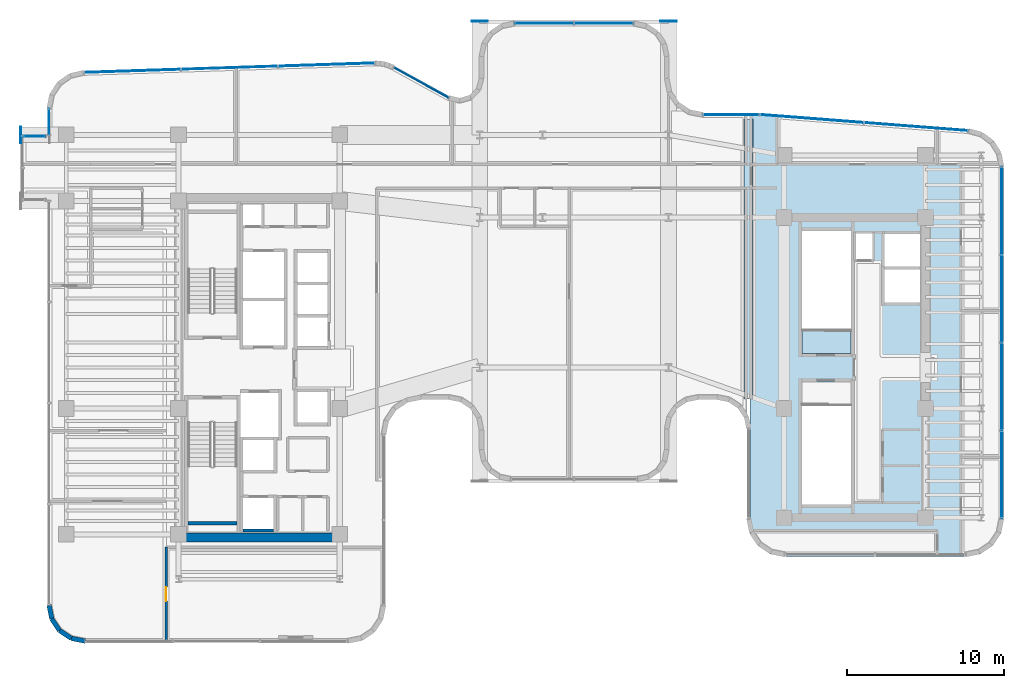
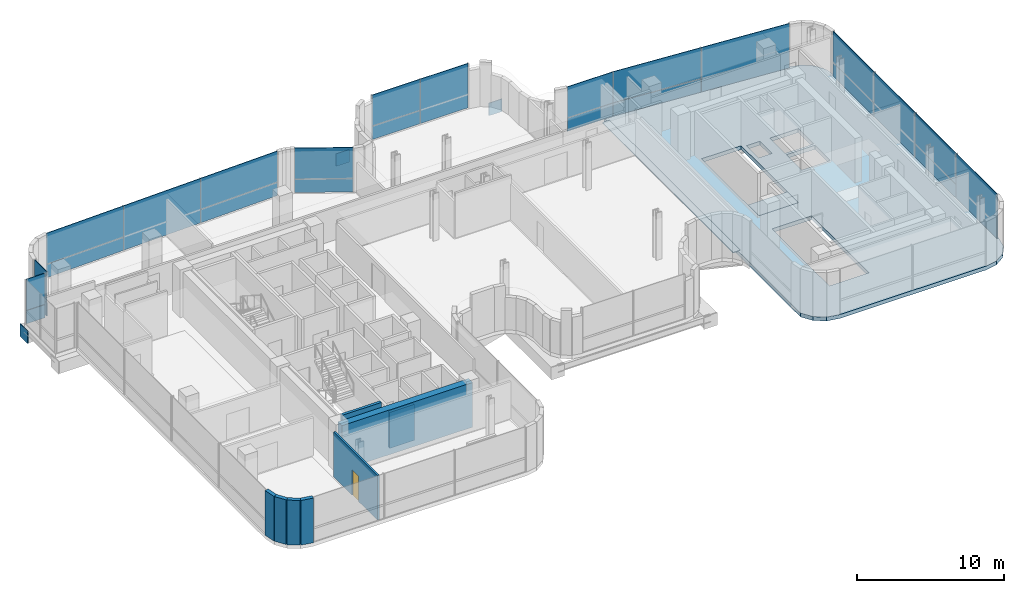
# One storey, part 26 of 35: 29 plates, 8 walls, 2 slabs, 1 door, 1 opening, 8 elements without a shape of their own.
"""IFC4 building model written with IfcOpenShell, lengths in metres."""

from ifc_helpers import new_model, si_unit, direction, frame, frame_2d, origin, origin_2d, place, context, subcontext, project, spatial, polyline, rectangle, outline, extrude, source, transform, mapped, material, layer, layer_set, type_object, element, fill, aggregate, save


model = new_model("IFC4")

# Units and contexts
model_context = context("Model", 3, precision=1e-05, world=origin(), true_north=direction((0.0, 1.0)))
body_context = subcontext(model_context, "Body", "Model", "MODEL_VIEW")
ifc_project = project(units=[si_unit("LENGTHUNIT", "METRE"), si_unit("AREAUNIT", "SQUARE_METRE"), si_unit("VOLUMEUNIT", "CUBIC_METRE"), si_unit("PLANEANGLEUNIT", "RADIAN"), si_unit("MASSUNIT", "GRAM", prefix="KILO")], contexts=[model_context])

# Site, building, storey
site_placement = place(None, origin())
site = spatial("IfcSite", under=ifc_project, at=site_placement, CompositionType="ELEMENT")
building_placement = place(site_placement, origin())
building = spatial("IfcBuilding", under=site, at=building_placement, Name="Valdorenza Pilgrim Sanctuary Tower", CompositionType="ELEMENT")
storey_placement = place(building_placement, frame((0.0, 0.0, 192.35009765625)))
storey = spatial("IfcBuildingStorey", under=building, at=storey_placement, Name="L49", CompositionType="ELEMENT", Elevation=192.35009765625)

# Slabs
ifc_material_1 = material(Name="Concrete C40/50", Category="concrete")
ifc_layer_1 = layer(ifc_material_1, 0.320068359375, Name="Concrete C40/50")
ifc_layer_set_1 = layer_set([ifc_layer_1], Name="Concrete C40/50")
slab_type_1 = type_object("IfcSlabType", Name="SLAB-PRY-320", PredefinedType="FLOOR", material=ifc_layer_set_1)
slab_1_placement = place(storey_placement, frame((0.0, 0.0, -0.320068359375)))
element("IfcSlab", 1, at=slab_1_placement, inside=storey, type_object=slab_type_1, Name="L49 Structural Floor Slab 2", PredefinedType="FLOOR", context=body_context, shape_type="SweptSolid", body=[
    extrude(outline(polyline([(27.585205078125, 15.17138671875), (28.4453125, 14.93896484375), (29.161376953125, 14.408935546875), (29.634521484375, 13.654052734375), (29.800048828125, 12.778564453125), (29.800048828125, -9.60009765625), (29.6171875, -10.518310546875), (29.09716796875, -11.297119140625), (28.318359375, -11.8173828125), (27.39990234375, -12.0), (15.89990234375, -12.0), (14.981689453125, -11.8173828125), (14.202880859375, -11.297119140625), (13.6826171875, -10.518310546875), (13.679931640625, -10.5048828125), (13.679931640625, 16.199951171875), (14.300048828125, 16.199951171875), (27.585205078125, 15.17138671875)]), holes=[polyline([(17.0, -8.699951171875), (20.110107421875, -8.699951171875), (20.110107421875, -2.385009765625), (20.110107421875, -0.89990234375), (17.0, -0.89990234375), (17.0, -2.385009765625), (17.0, -8.699951171875)]), polyline([(17.0, 0.89990234375), (20.110107421875, 0.89990234375), (20.110107421875, 2.385009765625), (20.110107421875, 8.699951171875), (17.0, 8.699951171875), (17.0, 2.385009765625), (17.0, 0.89990234375)]), polyline([(22.25, 4.14990234375), (24.47998046875, 4.14990234375), (24.47998046875, 6.22509765625), (22.25, 6.22509765625), (22.25, 4.14990234375)]), polyline([(22.25, 6.425048828125), (24.47998046875, 6.425048828125), (24.47998046875, 8.5), (22.25, 8.5), (22.25, 6.425048828125)]), polyline([(20.409912109375, 6.860107421875), (21.489990234375, 6.860107421875), (21.489990234375, 8.52001953125), (20.409912109375, 8.52001953125), (20.409912109375, 6.860107421875)])]), origin(), (0.0, 0.0, 1.0), 0.320068359375),
])
ifc_material_2 = material(Name="Concrete C50/60", Category="concrete")
ifc_layer_2 = layer(ifc_material_2, 0.39990234375, Name="Concrete C50/60")
ifc_layer_set_2 = layer_set([ifc_layer_2], Name="Concrete C50/60")
slab_type_2 = type_object("IfcSlabType", Name="SLAB-TRF-400", PredefinedType="FLOOR", material=ifc_layer_set_2)
slab_2_placement = place(storey_placement, frame((0.0, 0.0, -0.360107421875)))
element("IfcSlab", 2, at=slab_2_placement, inside=storey, type_object=slab_type_2, Name="L49 ST-B1 Structural Stair Landing Bearing Slab", PredefinedType="FLOOR", context=body_context, shape_type="SweptSolid", body=[
    extrude(outline(polyline([(17.0, 0.89990234375), (20.110107421875, 0.89990234375), (20.110107421875, 2.385009765625), (17.0, 2.385009765625), (17.0, 0.89990234375)])), origin(), (0.0, 0.0, 1.0), 0.360107421875),
])

# Plates
ifc_material_3 = material(Name="Steel ASTM A572 Grade 42", Category="steel")
ifc_layer_3 = layer(ifc_material_3, 0.06005859375, Name="Steel ASTM A572 Grade 42")
ifc_layer_set_3 = layer_set([ifc_layer_3], Name="Steel ASTM A572 Grade 42")
plate_type_1 = type_object("IfcPlateType", Name="PLT-CAP-60", PredefinedType="SHEET", material=ifc_layer_set_3)
shared_shape_1 = source(origin(), body_context, "Body", "SweptSolid", [
    extrude(rectangle(XDim=0.56005859375, YDim=17.800048828125, at=origin_2d()), origin(), (0.0, 0.0, 1.0), 0.06005859375),
])
plate_1_placement = place(storey_placement, frame((13.590087890625, 6.89990234375, -0.06005859375), z_axis=(0.0, 0.0, 1.0), x_axis=(1.0, 0.0, 0.0)))
element("IfcPlate", 3, at=plate_1_placement, inside=storey, type_object=plate_type_1, Name="L49 Portal Bridge Expansion Joint Cover Plate", PredefinedType="SHEET", context=body_context, shape_type="MappedRepresentation", body=[
    mapped(shared_shape_1, transform((0.0, 0.0, 0.0), x_axis=(1.0, 0.0, 0.0), y_axis=(0.0, 1.0, 0.0), z_axis=(0.0, 0.0, 1.0), scale=1.0)),
])
shared_shape_2 = source(origin(), body_context, "Body", "SweptSolid", [
    extrude(rectangle(XDim=0.06005859375, YDim=1.0400390625, at=origin_2d()), origin(), (0.0, 0.0, 1.0), 1.0400390625),
])
plate_2_placement = place(storey_placement, frame((-32.679931640625, 14.800048828125, -1.340087890625), z_axis=(0.0, 0.0, 1.0), x_axis=(1.0, 0.0, 0.0)))
element("IfcPlate", 4, at=plate_2_placement, inside=storey, type_object=plate_type_1, Name="L49 BOX-WA-L49 Cantilever Tip End Cap N", PredefinedType="SHEET", context=body_context, shape_type="MappedRepresentation", body=[
    mapped(shared_shape_2, transform((0.0, 0.0, 0.0), x_axis=(1.0, 0.0, 0.0), y_axis=(0.0, 1.0, 0.0), z_axis=(0.0, 0.0, 1.0), scale=1.0)),
])
shared_shape_3 = source(origin(), body_context, "Body", "SweptSolid", [
    extrude(rectangle(XDim=1.0400390625, YDim=0.06005859375, at=origin_2d()), origin(), (0.0, 0.0, 1.0), 1.0400390625),
])
for number, where, z_axis, x_axis, name in (
    (5, (-3.5, 22.030029296875, -1.340087890625), (0.0, 0.0, 1.0), (1.0, 0.0, 0.0), "L49 North Prow Cantilever End Cap W"),
    (6, (8.5, 22.030029296875, -1.340087890625), (0.0, 0.0, 1.0), (1.0, 0.0, 0.0), "L49 North Prow Cantilever End Cap E"),
):
    element("IfcPlate", number, at=place(storey_placement, frame(where, z_axis=z_axis, x_axis=x_axis)), inside=storey, type_object=plate_type_1, Name=name, PredefinedType="SHEET", context=body_context, shape_type="MappedRepresentation", body=[
        mapped(shared_shape_3, transform((0.0, 0.0, 0.0), x_axis=(1.0, 0.0, 0.0), y_axis=(0.0, 1.0, 0.0), z_axis=(0.0, 0.0, 1.0), scale=1.0)),
    ])

# Curtain wall, plate
ifc_material_4 = material(Name="Curtain-wall IGU glazing", Category="glass")
curtain_wall_type_1 = type_object("IfcCurtainWallType", Name="CW-SYS-02", PredefinedType="NOTDEFINED", material=ifc_material_4)
curtain_wall_1_placement = place(storey_placement, origin())
curtain_wall_1 = element("IfcCurtainWall", 7, at=curtain_wall_1_placement, inside=storey, type_object=curtain_wall_type_1, Name="L49 Curtain Wall CW-L49-BOX-WA-L49-N", PredefinedType="NOTDEFINED")
ifc_material_5 = material(Name="Honed travertine limestone", Category="masonry")
ifc_layer_4 = layer(ifc_material_5, 0.050048828125, Name="Honed travertine limestone")
ifc_layer_set_4 = layer_set([ifc_layer_4], Name="Honed travertine limestone")
plate_type_2 = type_object("IfcPlateType", Name="CW-SPN-TRV", PredefinedType="USERDEFINED", material=ifc_layer_set_4)
shared_shape_4 = source(origin(), body_context, "Body", "SweptSolid", [
    extrude(rectangle(XDim=1.43994140625, YDim=0.06005859375, at=origin_2d()), origin(), (0.0, 0.0, 1.0), 1.10009765625),
])
plate_3_placement = place(storey_placement, frame((-31.840087890625, 14.719970703125, 0.009765625), z_axis=(0.0, 0.0, 1.0), x_axis=(1.0, 0.0, 0.0)))
plate_3 = element("IfcPlate", 8, at=plate_3_placement, type_object=plate_type_2, Name="CW-L49-BOX-WA-L49-N Travertine Spandrel 1", ObjectType="SPANDREL", PredefinedType="USERDEFINED", context=body_context, shape_type="MappedRepresentation", body=[
    mapped(shared_shape_4, transform((0.0, 0.0, 0.0), x_axis=(1.0, 0.0, 0.0), y_axis=(0.0, 1.0, 0.0), z_axis=(0.0, 0.0, 1.0), scale=1.0)),
])

# Curtain wall, plates
curtain_wall_2_placement = place(storey_placement, origin())
curtain_wall_2 = element("IfcCurtainWall", 9, at=curtain_wall_2_placement, inside=storey, type_object=curtain_wall_type_1, Name="L49 Curtain Wall CW-L49-1-6", PredefinedType="NOTDEFINED")
shared_shape_5 = source(origin(), body_context, "Body", "SweptSolid", [
    extrude(rectangle(XDim=6.15185546875, YDim=0.06005859375, at=origin_2d()), origin(), (0.0, 0.0, 1.0), 1.10009765625),
])
plate_4_placement = place(storey_placement, frame((-25.57958984375, 18.866455078125, 0.009765625), z_axis=(0.0, 0.0, 1.0), x_axis=(0.999470282811, 0.032544642846, 0.0)))
plate_4 = element("IfcPlate", 10, at=plate_4_placement, type_object=plate_type_2, Name="CW-L49-1-6 Travertine Spandrel 1", ObjectType="SPANDREL", PredefinedType="USERDEFINED", context=body_context, shape_type="MappedRepresentation", body=[
    mapped(shared_shape_5, transform((0.0, 0.0, 0.0), x_axis=(1.0, 0.0, 0.0), y_axis=(0.0, 1.0, 0.0), z_axis=(0.0, 0.0, 1.0), scale=1.0)),
])
plate_5_placement = place(storey_placement, frame((-13.2421875, 19.26806640625, 0.009765625), z_axis=(0.0, 0.0, 1.0), x_axis=(0.999470282811, 0.032544642846, 0.0)))
plate_5 = element("IfcPlate", 11, at=plate_5_placement, type_object=plate_type_2, Name="CW-L49-1-6 Travertine Spandrel 3", ObjectType="SPANDREL", PredefinedType="USERDEFINED", context=body_context, shape_type="MappedRepresentation", body=[
    mapped(shared_shape_5, transform((0.0, 0.0, 0.0), x_axis=(1.0, 0.0, 0.0), y_axis=(0.0, 1.0, 0.0), z_axis=(0.0, 0.0, 1.0), scale=1.0)),
])

# Curtain wall, plate
curtain_wall_type_2 = type_object("IfcCurtainWallType", Name="CW-SYS-05", PredefinedType="NOTDEFINED", material=ifc_material_4)
curtain_wall_3_placement = place(storey_placement, origin())
curtain_wall_3 = element("IfcCurtainWall", 12, at=curtain_wall_3_placement, inside=storey, type_object=curtain_wall_type_2, Name="L49 Curtain Wall CW-L49-1-11", PredefinedType="NOTDEFINED")
shared_shape_6 = source(origin(), body_context, "Body", "SweptSolid", [
    extrude(rectangle(XDim=3.97607421875, YDim=0.06005859375, at=origin_2d()), origin(), (0.0, 0.0, 1.0), 1.10009765625),
])
plate_6_placement = place(storey_placement, frame((-7.222412109375, 18.12158203125, 0.009765625), z_axis=(0.0, 0.0, 1.0), x_axis=(0.876214173829, -0.481921904027, 0.0)))
plate_6 = element("IfcPlate", 13, at=plate_6_placement, type_object=plate_type_2, Name="CW-L49-1-11 Travertine Spandrel 1", ObjectType="SPANDREL", PredefinedType="USERDEFINED", context=body_context, shape_type="MappedRepresentation", body=[
    mapped(shared_shape_6, transform((0.0, 0.0, 0.0), x_axis=(1.0, 0.0, 0.0), y_axis=(0.0, 1.0, 0.0), z_axis=(0.0, 0.0, 1.0), scale=1.0)),
])

curtain_wall_4_placement = place(storey_placement, origin())
curtain_wall_4 = element("IfcCurtainWall", 14, at=curtain_wall_4_placement, inside=storey, type_object=curtain_wall_type_2, Name="L49 Curtain Wall CW-L49-1-21", PredefinedType="NOTDEFINED")
shared_shape_7 = source(origin(), body_context, "Body", "SweptSolid", [
    extrude(rectangle(XDim=3.76513671875, YDim=0.06005859375, at=origin_2d()), origin(), (0.0, 0.0, 1.0), 1.10009765625),
])
plate_7_placement = place(storey_placement, frame((0.607421875, 21.889892578125, 0.009765625), z_axis=(0.0, 0.0, 1.0), x_axis=(1.0, 0.0, 0.0)))
plate_7 = element("IfcPlate", 15, at=plate_7_placement, type_object=plate_type_2, Name="CW-L49-1-21 Travertine Spandrel 1", ObjectType="SPANDREL", PredefinedType="USERDEFINED", context=body_context, shape_type="MappedRepresentation", body=[
    mapped(shared_shape_7, transform((0.0, 0.0, 0.0), x_axis=(1.0, 0.0, 0.0), y_axis=(0.0, 1.0, 0.0), z_axis=(0.0, 0.0, 1.0), scale=1.0)),
])

curtain_wall_5_placement = place(storey_placement, origin())
curtain_wall_5 = element("IfcCurtainWall", 16, at=curtain_wall_5_placement, inside=storey, type_object=curtain_wall_type_2, Name="L49 Curtain Wall CW-L49-1-31", PredefinedType="NOTDEFINED")
shared_shape_8 = source(origin(), body_context, "Body", "SweptSolid", [
    extrude(rectangle(XDim=3.58251953125, YDim=0.06005859375, at=origin_2d()), origin(), (0.0, 0.0, 1.0), 1.10009765625),
])
plate_8_placement = place(storey_placement, frame((12.494384765625, 16.090087890625, 0.009765625), z_axis=(0.0, 0.0, 1.0), x_axis=(1.0, 0.0, 0.0)))
plate_8 = element("IfcPlate", 17, at=plate_8_placement, type_object=plate_type_2, Name="CW-L49-1-31 Travertine Spandrel 1", ObjectType="SPANDREL", PredefinedType="USERDEFINED", context=body_context, shape_type="MappedRepresentation", body=[
    mapped(shared_shape_8, transform((0.0, 0.0, 0.0), x_axis=(1.0, 0.0, 0.0), y_axis=(0.0, 1.0, 0.0), z_axis=(0.0, 0.0, 1.0), scale=1.0)),
])

curtain_wall_type_3 = type_object("IfcCurtainWallType", Name="CW-SYS-03", PredefinedType="NOTDEFINED", material=ifc_material_4)
curtain_wall_6_placement = place(storey_placement, origin())
curtain_wall_6 = element("IfcCurtainWall", 18, at=curtain_wall_6_placement, inside=storey, type_object=curtain_wall_type_3, Name="L49 Curtain Wall CW-L49-1-32", PredefinedType="NOTDEFINED")
shared_shape_9 = source(origin(), body_context, "Body", "SweptSolid", [
    extrude(rectangle(XDim=6.63525390625, YDim=0.06005859375, at=origin_2d()), origin(), (0.0, 0.0, 1.0), 1.10009765625),
])
plate_9_placement = place(storey_placement, frame((17.61328125, 15.8330078125, 0.009765625), z_axis=(0.0, 0.0, 1.0), x_axis=(0.997016488532, -0.077188869631, 0.0)))
plate_9 = element("IfcPlate", 19, at=plate_9_placement, type_object=plate_type_2, Name="CW-L49-1-32 Travertine Spandrel 1", ObjectType="SPANDREL", PredefinedType="USERDEFINED", context=body_context, shape_type="MappedRepresentation", body=[
    mapped(shared_shape_9, transform((0.0, 0.0, 0.0), x_axis=(1.0, 0.0, 0.0), y_axis=(0.0, 1.0, 0.0), z_axis=(0.0, 0.0, 1.0), scale=1.0)),
])

# Curtain wall, plates
curtain_wall_7_placement = place(storey_placement, origin())
curtain_wall_7 = element("IfcCurtainWall", 20, at=curtain_wall_7_placement, inside=storey, type_object=curtain_wall_type_3, Name="L49 Curtain Wall CW-L49-1-37", PredefinedType="NOTDEFINED")
shared_shape_10 = source(origin(), body_context, "Body", "SweptSolid", [
    extrude(rectangle(XDim=5.5693359375, YDim=0.06005859375, at=origin_2d()), origin(), (0.0, 0.0, 1.0), 1.10009765625),
])
plate_10_placement = place(storey_placement, frame((29.68994140625, 9.9736328125, 0.009765625), z_axis=(0.0, 0.0, 1.0), x_axis=(0.0, -1.0, 0.0)))
plate_10 = element("IfcPlate", 21, at=plate_10_placement, type_object=plate_type_2, Name="CW-L49-1-37 Travertine Spandrel 1", ObjectType="SPANDREL", PredefinedType="USERDEFINED", context=body_context, shape_type="MappedRepresentation", body=[
    mapped(shared_shape_10, transform((0.0, 0.0, 0.0), x_axis=(1.0, 0.0, 0.0), y_axis=(0.0, 1.0, 0.0), z_axis=(0.0, 0.0, 1.0), scale=1.0)),
])
plate_11_placement = place(storey_placement, frame((29.68994140625, -1.205078125, 0.009765625), z_axis=(0.0, 0.0, 1.0), x_axis=(0.0, -1.0, 0.0)))
plate_11 = element("IfcPlate", 22, at=plate_11_placement, type_object=plate_type_2, Name="CW-L49-1-37 Travertine Spandrel 3", ObjectType="SPANDREL", PredefinedType="USERDEFINED", context=body_context, shape_type="MappedRepresentation", body=[
    mapped(shared_shape_10, transform((0.0, 0.0, 0.0), x_axis=(1.0, 0.0, 0.0), y_axis=(0.0, 1.0, 0.0), z_axis=(0.0, 0.0, 1.0), scale=1.0)),
])

curtain_wall_8_placement = place(storey_placement, origin())
curtain_wall_8 = element("IfcCurtainWall", 23, at=curtain_wall_8_placement, inside=storey, type_object=curtain_wall_type_1, Name="L49 Curtain Wall CW-L49-1-1S2", PredefinedType="NOTDEFINED")
shared_shape_11 = source(origin(), body_context, "Body", "SweptSolid", [
    extrude(rectangle(XDim=1.646240234375, YDim=0.06005859375, at=origin_2d()), origin(), (0.0, 0.0, 1.0), 1.10009765625),
])
plate_12_placement = place(storey_placement, frame((-30.889892578125, 15.63330078125, 0.009765625), z_axis=(0.0, 0.0, 1.0), x_axis=(0.0, 1.0, 0.0)))
plate_12 = element("IfcPlate", 24, at=plate_12_placement, type_object=plate_type_2, Name="CW-L49-1-1S2 Travertine Spandrel 1", ObjectType="SPANDREL", PredefinedType="USERDEFINED", context=body_context, shape_type="MappedRepresentation", body=[
    mapped(shared_shape_11, transform((0.0, 0.0, 0.0), x_axis=(1.0, 0.0, 0.0), y_axis=(0.0, 1.0, 0.0), z_axis=(0.0, 0.0, 1.0), scale=1.0)),
])
ifc_material_6 = material(Name="Ceramic-fritted low-E IGU glazing", Category="glass")
ifc_layer_5 = layer(ifc_material_6, 0.035888671875, Name="Ceramic-fritted low-E IGU glazing")
ifc_layer_set_5 = layer_set([ifc_layer_5], Name="Ceramic-fritted low-E IGU glazing")
plate_type_3 = type_object("IfcPlateType", Name="CW-GLZ-IGU", PredefinedType="USERDEFINED", material=ifc_layer_set_5)
shared_shape_12 = source(origin(), body_context, "Body", "SweptSolid", [
    extrude(rectangle(XDim=1.646240234375, YDim=0.050048828125, at=origin_2d()), origin(), (0.0, 0.0, 1.0), 2.570068359375),
])
plate_13_placement = place(storey_placement, frame((-30.889892578125, 15.63330078125, 1.1298828125), z_axis=(0.0, 0.0, 1.0), x_axis=(0.0, 1.0, 0.0)))
plate_13 = element("IfcPlate", 25, at=plate_13_placement, type_object=plate_type_3, Name="CW-L49-1-1S2 Facade Panel 1", ObjectType="GLAZING", PredefinedType="USERDEFINED", context=body_context, shape_type="MappedRepresentation", body=[
    mapped(shared_shape_12, transform((0.0, 0.0, 0.0), x_axis=(1.0, 0.0, 0.0), y_axis=(0.0, 1.0, 0.0), z_axis=(0.0, 0.0, 1.0), scale=1.0)),
])
aggregate(curtain_wall_8, [plate_12, plate_13])

# Plate
shared_shape_13 = source(origin(), body_context, "Body", "SweptSolid", [
    extrude(rectangle(XDim=6.15185546875, YDim=0.050048828125, at=origin_2d()), origin(), (0.0, 0.0, 1.0), 2.570068359375),
])
plate_14_placement = place(storey_placement, frame((-25.57958984375, 18.866455078125, 1.1298828125), z_axis=(0.0, 0.0, 1.0), x_axis=(0.999470282811, 0.032544642846, 0.0)))
plate_14 = element("IfcPlate", 26, at=plate_14_placement, type_object=plate_type_3, Name="CW-L49-1-6 Facade Panel 1", ObjectType="GLAZING", PredefinedType="USERDEFINED", context=body_context, shape_type="MappedRepresentation", body=[
    mapped(shared_shape_13, transform((0.0, 0.0, 0.0), x_axis=(1.0, 0.0, 0.0), y_axis=(0.0, 1.0, 0.0), z_axis=(0.0, 0.0, 1.0), scale=1.0)),
])

plate_15_placement = place(storey_placement, frame((-13.2421875, 19.26806640625, 1.1298828125), z_axis=(0.0, 0.0, 1.0), x_axis=(0.999470282811, 0.032544642846, 0.0)))
plate_15 = element("IfcPlate", 27, at=plate_15_placement, type_object=plate_type_3, Name="CW-L49-1-6 Facade Panel 3", ObjectType="GLAZING", PredefinedType="USERDEFINED", context=body_context, shape_type="MappedRepresentation", body=[
    mapped(shared_shape_13, transform((0.0, 0.0, 0.0), x_axis=(1.0, 0.0, 0.0), y_axis=(0.0, 1.0, 0.0), z_axis=(0.0, 0.0, 1.0), scale=1.0)),
])

shared_shape_14 = source(origin(), body_context, "Body", "SweptSolid", [
    extrude(rectangle(XDim=6.15185546875, YDim=0.050048828125, at=origin_2d()), origin(), (0.0, 0.0, 1.0), 3.68994140625),
])
plate_16_placement = place(storey_placement, frame((-19.410888671875, 19.0673828125, 0.010009765625), z_axis=(0.0, 0.0, 1.0), x_axis=(0.999470282811, 0.032544642846, 0.0)))
plate_16 = element("IfcPlate", 28, at=plate_16_placement, type_object=plate_type_3, Name="CW-L49-1-6 Full-Height Facade Panel 2", ObjectType="GLAZING", PredefinedType="USERDEFINED", context=body_context, shape_type="MappedRepresentation", body=[
    mapped(shared_shape_14, transform((0.0, 0.0, 0.0), x_axis=(1.0, 0.0, 0.0), y_axis=(0.0, 1.0, 0.0), z_axis=(0.0, 0.0, 1.0), scale=1.0)),
])

aggregate(curtain_wall_2, [plate_4, plate_14, plate_16, plate_5, plate_15])

shared_shape_15 = source(origin(), body_context, "Body", "SweptSolid", [
    extrude(rectangle(XDim=3.97607421875, YDim=0.050048828125, at=origin_2d()), origin(), (0.0, 0.0, 1.0), 2.570068359375),
])
plate_17_placement = place(storey_placement, frame((-7.222412109375, 18.12158203125, 1.1298828125), z_axis=(0.0, 0.0, 1.0), x_axis=(0.876214173829, -0.481921904027, 0.0)))
plate_17 = element("IfcPlate", 29, at=plate_17_placement, type_object=plate_type_3, Name="CW-L49-1-11 Facade Panel 1", ObjectType="GLAZING", PredefinedType="USERDEFINED", context=body_context, shape_type="MappedRepresentation", body=[
    mapped(shared_shape_15, transform((0.0, 0.0, 0.0), x_axis=(1.0, 0.0, 0.0), y_axis=(0.0, 1.0, 0.0), z_axis=(0.0, 0.0, 1.0), scale=1.0)),
])

aggregate(curtain_wall_3, [plate_6, plate_17])

shared_shape_16 = source(origin(), body_context, "Body", "SweptSolid", [
    extrude(rectangle(XDim=3.76513671875, YDim=0.050048828125, at=origin_2d()), origin(), (0.0, 0.0, 1.0), 2.570068359375),
])
plate_18_placement = place(storey_placement, frame((0.607421875, 21.889892578125, 1.1298828125), z_axis=(0.0, 0.0, 1.0), x_axis=(1.0, 0.0, 0.0)))
plate_18 = element("IfcPlate", 30, at=plate_18_placement, type_object=plate_type_3, Name="CW-L49-1-21 Facade Panel 1", ObjectType="GLAZING", PredefinedType="USERDEFINED", context=body_context, shape_type="MappedRepresentation", body=[
    mapped(shared_shape_16, transform((0.0, 0.0, 0.0), x_axis=(1.0, 0.0, 0.0), y_axis=(0.0, 1.0, 0.0), z_axis=(0.0, 0.0, 1.0), scale=1.0)),
])

shared_shape_17 = source(origin(), body_context, "Body", "SweptSolid", [
    extrude(rectangle(XDim=3.76513671875, YDim=0.050048828125, at=origin_2d()), origin(), (0.0, 0.0, 1.0), 3.68994140625),
])
plate_19_placement = place(storey_placement, frame((4.392578125, 21.889892578125, 0.010009765625), z_axis=(0.0, 0.0, 1.0), x_axis=(1.0, 0.0, 0.0)))
plate_19 = element("IfcPlate", 31, at=plate_19_placement, type_object=plate_type_3, Name="CW-L49-1-21 Full-Height Facade Panel 2", ObjectType="GLAZING", PredefinedType="USERDEFINED", context=body_context, shape_type="MappedRepresentation", body=[
    mapped(shared_shape_17, transform((0.0, 0.0, 0.0), x_axis=(1.0, 0.0, 0.0), y_axis=(0.0, 1.0, 0.0), z_axis=(0.0, 0.0, 1.0), scale=1.0)),
])

aggregate(curtain_wall_4, [plate_7, plate_18, plate_19])

shared_shape_18 = source(origin(), body_context, "Body", "SweptSolid", [
    extrude(rectangle(XDim=3.58251953125, YDim=0.050048828125, at=origin_2d()), origin(), (0.0, 0.0, 1.0), 2.570068359375),
])
plate_20_placement = place(storey_placement, frame((12.494384765625, 16.090087890625, 1.1298828125), z_axis=(0.0, 0.0, 1.0), x_axis=(1.0, 0.0, 0.0)))
plate_20 = element("IfcPlate", 32, at=plate_20_placement, type_object=plate_type_3, Name="CW-L49-1-31 Facade Panel 1", ObjectType="GLAZING", PredefinedType="USERDEFINED", context=body_context, shape_type="MappedRepresentation", body=[
    mapped(shared_shape_18, transform((0.0, 0.0, 0.0), x_axis=(1.0, 0.0, 0.0), y_axis=(0.0, 1.0, 0.0), z_axis=(0.0, 0.0, 1.0), scale=1.0)),
])

aggregate(curtain_wall_5, [plate_8, plate_20])

shared_shape_19 = source(origin(), body_context, "Body", "SweptSolid", [
    extrude(rectangle(XDim=6.63525390625, YDim=0.050048828125, at=origin_2d()), origin(), (0.0, 0.0, 1.0), 2.570068359375),
])
plate_21_placement = place(storey_placement, frame((17.61328125, 15.8330078125, 1.1298828125), z_axis=(0.0, 0.0, 1.0), x_axis=(0.997016488532, -0.077188869631, 0.0)))
plate_21 = element("IfcPlate", 33, at=plate_21_placement, type_object=plate_type_3, Name="CW-L49-1-32 Facade Panel 1", ObjectType="GLAZING", PredefinedType="USERDEFINED", context=body_context, shape_type="MappedRepresentation", body=[
    mapped(shared_shape_19, transform((0.0, 0.0, 0.0), x_axis=(1.0, 0.0, 0.0), y_axis=(0.0, 1.0, 0.0), z_axis=(0.0, 0.0, 1.0), scale=1.0)),
])

shared_shape_20 = source(origin(), body_context, "Body", "SweptSolid", [
    extrude(rectangle(XDim=6.63525390625, YDim=0.050048828125, at=origin_2d()), origin(), (0.0, 0.0, 1.0), 3.68994140625),
])
plate_22_placement = place(storey_placement, frame((24.248779296875, 15.3193359375, 0.010009765625), z_axis=(0.0, 0.0, 1.0), x_axis=(0.997016488532, -0.077188869631, 0.0)))
plate_22 = element("IfcPlate", 34, at=plate_22_placement, type_object=plate_type_3, Name="CW-L49-1-32 Full-Height Facade Panel 2", ObjectType="GLAZING", PredefinedType="USERDEFINED", context=body_context, shape_type="MappedRepresentation", body=[
    mapped(shared_shape_20, transform((0.0, 0.0, 0.0), x_axis=(1.0, 0.0, 0.0), y_axis=(0.0, 1.0, 0.0), z_axis=(0.0, 0.0, 1.0), scale=1.0)),
])

aggregate(curtain_wall_6, [plate_9, plate_21, plate_22])

shared_shape_21 = source(origin(), body_context, "Body", "SweptSolid", [
    extrude(rectangle(XDim=5.5693359375, YDim=0.050048828125, at=origin_2d()), origin(), (0.0, 0.0, 1.0), 2.570068359375),
])
plate_23_placement = place(storey_placement, frame((29.68994140625, 9.9736328125, 1.1298828125), z_axis=(0.0, 0.0, 1.0), x_axis=(0.0, -1.0, 0.0)))
plate_23 = element("IfcPlate", 35, at=plate_23_placement, type_object=plate_type_3, Name="CW-L49-1-37 Facade Panel 1", ObjectType="GLAZING", PredefinedType="USERDEFINED", context=body_context, shape_type="MappedRepresentation", body=[
    mapped(shared_shape_21, transform((0.0, 0.0, 0.0), x_axis=(1.0, 0.0, 0.0), y_axis=(0.0, 1.0, 0.0), z_axis=(0.0, 0.0, 1.0), scale=1.0)),
])

plate_24_placement = place(storey_placement, frame((29.68994140625, -1.205078125, 1.1298828125), z_axis=(0.0, 0.0, 1.0), x_axis=(0.0, -1.0, 0.0)))
plate_24 = element("IfcPlate", 36, at=plate_24_placement, type_object=plate_type_3, Name="CW-L49-1-37 Facade Panel 3", ObjectType="GLAZING", PredefinedType="USERDEFINED", context=body_context, shape_type="MappedRepresentation", body=[
    mapped(shared_shape_21, transform((0.0, 0.0, 0.0), x_axis=(1.0, 0.0, 0.0), y_axis=(0.0, 1.0, 0.0), z_axis=(0.0, 0.0, 1.0), scale=1.0)),
])

shared_shape_22 = source(origin(), body_context, "Body", "SweptSolid", [
    extrude(rectangle(XDim=5.5693359375, YDim=0.050048828125, at=origin_2d()), origin(), (0.0, 0.0, 1.0), 3.68994140625),
])
plate_25_placement = place(storey_placement, frame((29.68994140625, 4.38427734375, 0.010009765625), z_axis=(0.0, 0.0, 1.0), x_axis=(0.0, -1.0, 0.0)))
plate_25 = element("IfcPlate", 37, at=plate_25_placement, type_object=plate_type_3, Name="CW-L49-1-37 Full-Height Facade Panel 2", ObjectType="GLAZING", PredefinedType="USERDEFINED", context=body_context, shape_type="MappedRepresentation", body=[
    mapped(shared_shape_22, transform((0.0, 0.0, 0.0), x_axis=(1.0, 0.0, 0.0), y_axis=(0.0, 1.0, 0.0), z_axis=(0.0, 0.0, 1.0), scale=1.0)),
])

plate_26_placement = place(storey_placement, frame((29.68994140625, -6.79443359375, 0.010009765625), z_axis=(0.0, 0.0, 1.0), x_axis=(0.0, -1.0, 0.0)))
plate_26 = element("IfcPlate", 38, at=plate_26_placement, type_object=plate_type_3, Name="CW-L49-1-37 Full-Height Facade Panel 4", ObjectType="GLAZING", PredefinedType="USERDEFINED", context=body_context, shape_type="MappedRepresentation", body=[
    mapped(shared_shape_22, transform((0.0, 0.0, 0.0), x_axis=(1.0, 0.0, 0.0), y_axis=(0.0, 1.0, 0.0), z_axis=(0.0, 0.0, 1.0), scale=1.0)),
])

aggregate(curtain_wall_7, [plate_10, plate_23, plate_25, plate_11, plate_24, plate_26])

shared_shape_23 = source(origin(), body_context, "Body", "SweptSolid", [
    extrude(rectangle(XDim=1.43994140625, YDim=0.050048828125, at=origin_2d()), origin(), (0.0, 0.0, 1.0), 2.570068359375),
])
plate_27_placement = place(storey_placement, frame((-31.840087890625, 14.719970703125, 1.1298828125), z_axis=(0.0, 0.0, 1.0), x_axis=(1.0, 0.0, 0.0)))
plate_27 = element("IfcPlate", 39, at=plate_27_placement, type_object=plate_type_3, Name="CW-L49-BOX-WA-L49-N Facade Panel 1", ObjectType="GLAZING", PredefinedType="USERDEFINED", context=body_context, shape_type="MappedRepresentation", body=[
    mapped(shared_shape_23, transform((0.0, 0.0, 0.0), x_axis=(1.0, 0.0, 0.0), y_axis=(0.0, 1.0, 0.0), z_axis=(0.0, 0.0, 1.0), scale=1.0)),
])

aggregate(curtain_wall_1, [plate_3, plate_27])

# Wall, opening, door
ifc_material_7 = material(Name="Acoustic twin-stud gypsum partition", Category="gypsum")
ifc_layer_6 = layer(ifc_material_7, 0.159912109375, Name="Acoustic twin-stud gypsum partition")
ifc_layer_set_6 = layer_set([ifc_layer_6], Name="Acoustic twin-stud gypsum partition")
wall_type_1 = type_object("IfcWallType", Name="WAL-COR-160", PredefinedType="PARTITIONING", material=ifc_layer_set_6)
wall_1_placement = place(storey_placement, frame((-23.449951171875, -17.389892578125, 0.0), z_axis=(0.0, 0.0, 1.0), x_axis=(0.0, 1.0, 0.0)))
wall_1 = element("IfcWall", 40, at=wall_1_placement, inside=storey, type_object=wall_type_1, Name="L49 South-East Pocket West Wall", PredefinedType="PARTITIONING", context=body_context, shape_type="SweptSolid", body=[
    extrude(rectangle(XDim=5.969970703125, YDim=0.159912109375, at=frame_2d((2.98486328125, 0.0))), origin(), (0.0, 0.0, 1.0), 3.7099609375),
])
opening_placement = place(wall_1_placement, frame((2.534912109375, 0.0, 0.0)))
opening = element("IfcOpeningElement", 41, at=opening_placement, cuts=wall_1, Name="Opening DR-RM1", PredefinedType="OPENING", context=body_context, shape_type="SweptSolid", body=[
    extrude(rectangle(XDim=0.89990234375, YDim=2.10009765625, at=frame_2d((0.449951171875, 1.050048828125))), frame((0.0, 0.0947265625, 0.0), z_axis=(0.0, -1.0, 0.0), x_axis=(1.0, 0.0, 0.0)), (0.0, 0.0, 1.0), 0.189697265625),
])
ifc_material_8 = material(Name="Solid-core European oak timber", Category="wood")
door_type = type_object("IfcDoorType", Name="DR-ROOM-900", OperationType="NOTDEFINED", PredefinedType="DOOR", material=ifc_material_8)
door_placement = place(opening_placement, origin())
door = element("IfcDoor", 42, at=door_placement, inside=storey, type_object=door_type, Name="L49 Sacred Archive Reading Library L49-S Door", OperationType="SINGLE_SWING_RIGHT", OverallHeight=2.10009765625, OverallWidth=0.89990234375, PredefinedType="DOOR", context=body_context, shape_type="SweptSolid", body=[
    extrude(rectangle(XDim=0.89990234375, YDim=2.10009765625, at=frame_2d((0.449951171875, 1.050048828125))), frame((0.0, 0.02490234375, 0.0), z_axis=(0.0, -1.0, 0.0), x_axis=(1.0, 0.0, 0.0)), (0.0, 0.0, 1.0), 0.050048828125),
])
fill(opening, door)

# Walls
ifc_layer_7 = layer(ifc_material_2, 0.550048828125, Name="Concrete C50/60")
ifc_layer_set_7 = layer_set([ifc_layer_7], Name="Concrete C50/60")
wall_type_2 = type_object("IfcWallType", Name="WAL-COR-550", PredefinedType="SHEAR", material=ifc_layer_set_7)
wall_2_placement = place(storey_placement, frame((-22.64990234375, -10.800048828125, 0.0), z_axis=(0.0, 0.0, 1.0), x_axis=(1.0, 0.0, 0.0)))
element("IfcWall", 43, at=wall_2_placement, inside=storey, type_object=wall_type_2, Name="L49 Split Core A Shear Wall S", PredefinedType="SHEAR", context=body_context, shape_type="SweptSolid", body=[
    extrude(rectangle(XDim=10.25, YDim=0.550048828125, at=frame_2d((5.125, 0.0))), origin(), (0.0, 0.0, 1.0), 3.7099609375),
])
ifc_layer_8 = layer(ifc_material_5, 0.300048828125, Name="Honed travertine limestone")
ifc_layer_set_8 = layer_set([ifc_layer_8], Name="Honed travertine limestone")
wall_type_3 = type_object("IfcWallType", Name="WAL-EXT-300", PredefinedType="SOLIDWALL", material=ifc_layer_set_8)
wall_3_placement = place(storey_placement, frame((-28.589111328125, -17.389892578125, 0.0), z_axis=(0.0, 0.0, 1.0), x_axis=(-0.980798241101, 0.195025152871, 0.0)))
element("IfcWall", 44, at=wall_3_placement, inside=storey, type_object=wall_type_3, Name="L49 Rounded Wind-Corner Stone Pier 83", PredefinedType="SOLIDWALL", context=body_context, shape_type="SweptSolid", body=[
    extrude(rectangle(XDim=0.90380859375, YDim=0.300048828125, at=frame_2d((0.451904296875, 0.0))), origin(), (0.0, 0.0, 1.0), 3.7099609375),
])
for number, where, z_axis, x_axis, name in (
    (45, (-29.4755859375, -17.213623046875, 0.0), (0.0, 0.0, 1.0), (-0.831502848374, 0.555520488502, 0.0), "L49 Rounded Wind-Corner Stone Pier 84"),
    (46, (-30.2177734375, -16.7177734375, 0.0), (0.0, 0.0, 1.0), (-0.555520488502, 0.831502848374, 0.0), "L49 Rounded Wind-Corner Stone Pier 85"),
):
    element("IfcWall", number, at=place(storey_placement, frame(where, z_axis=z_axis, x_axis=x_axis)), inside=storey, type_object=wall_type_3, Name=name, PredefinedType="SOLIDWALL", context=body_context, shape_type="SweptSolid", body=[
        extrude(rectangle(XDim=0.892578125, YDim=0.300048828125, at=frame_2d((0.4462890625, 0.0))), origin(), (0.0, 0.0, 1.0), 3.7099609375),
    ])
wall_4_placement = place(storey_placement, frame((-30.713623046875, -15.9755859375, 0.0), z_axis=(0.0, 0.0, 1.0), x_axis=(-0.195025152871, 0.980798241101, 0.0)))
element("IfcWall", 47, at=wall_4_placement, inside=storey, type_object=wall_type_3, Name="L49 Rounded Wind-Corner Stone Pier 86", PredefinedType="SOLIDWALL", context=body_context, shape_type="SweptSolid", body=[
    extrude(rectangle(XDim=0.90380859375, YDim=0.300048828125, at=frame_2d((0.451904296875, 0.0))), origin(), (0.0, 0.0, 1.0), 3.7099609375),
])
ifc_material_9 = material(Name="Autoclaved aerated concrete blockwork", Category="masonry")
ifc_layer_9 = layer(ifc_material_9, 0.199951171875, Name="Autoclaved aerated concrete blockwork")
ifc_layer_set_9 = layer_set([ifc_layer_9], Name="Autoclaved aerated concrete blockwork")
wall_type_4 = type_object("IfcWallType", Name="WAL-SHF-200", PredefinedType="MOVABLE", material=ifc_layer_set_9)
wall_5_placement = place(storey_placement, frame((-18.550048828125, -10.35009765625, 0.0), z_axis=(0.0, 0.0, 1.0), x_axis=(1.0, 0.0, 0.0)))
element("IfcWall", 48, at=wall_5_placement, inside=storey, type_object=wall_type_4, Name="L49 Lift PL-05 Hoistway Wall South", PredefinedType="MOVABLE", context=body_context, shape_type="SweptSolid", body=[
    extrude(rectangle(XDim=1.949951171875, YDim=0.199951171875, at=frame_2d((0.97509765625, 0.0))), origin(), (0.0, 0.0, 1.0), 2.993896484375),
])
ifc_layer_10 = layer(ifc_material_1, 0.219970703125, Name="Concrete C40/50")
ifc_layer_set_10 = layer_set([ifc_layer_10], Name="Concrete C40/50")
wall_type_5 = type_object("IfcWallType", Name="WAL-STR-SHF-220", PredefinedType="SHEAR", material=ifc_layer_set_10)
wall_6_placement = place(storey_placement, frame((-22.050048828125, -9.909912109375, 0.0), z_axis=(0.0, 0.0, 1.0), x_axis=(1.0, 0.0, 0.0)))
element("IfcWall", 49, at=wall_6_placement, inside=storey, type_object=wall_type_5, Name="L49 ST-A2 Structural Stairwell Wall S", PredefinedType="SHEAR", context=body_context, shape_type="SweptSolid", body=[
    extrude(rectangle(XDim=3.110107421875, YDim=0.219970703125, at=frame_2d((1.55517578125, 0.0))), origin(), (0.0, 0.0, 1.0), 3.7099609375),
])

save(model, "model.ifc")
